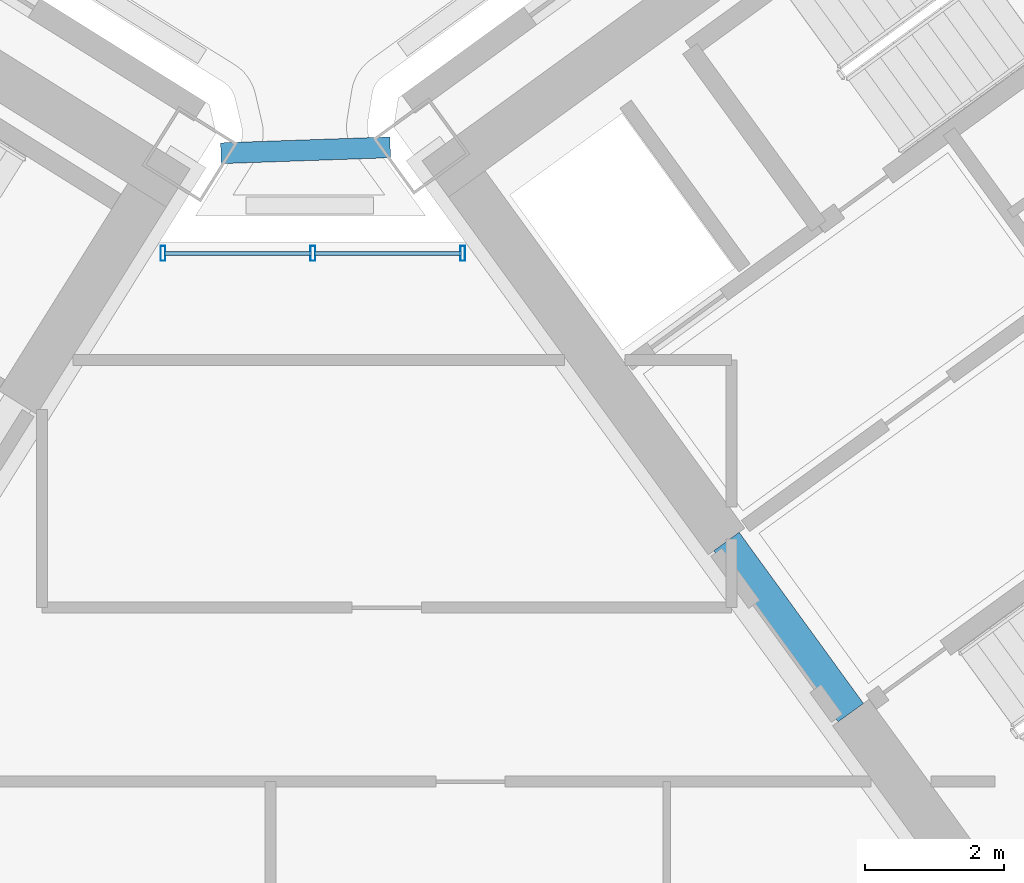
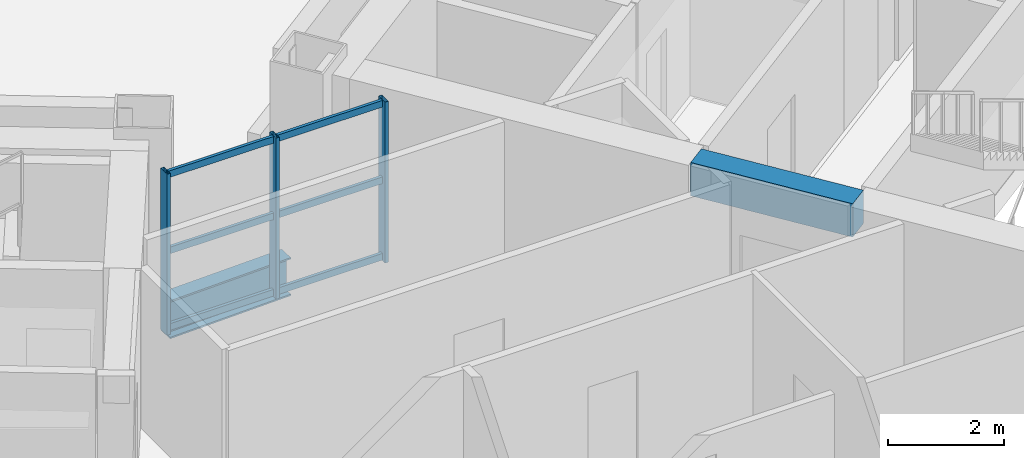
# One storey, part 11 of 28: 9 members, 2 beams, 1 element without a shape of its own.
"""IFC4 building model written with IfcOpenShell, lengths in metres."""

from ifc_helpers import new_model, si_unit, direction, frame, origin, origin_2d, place, context, subcontext, project, spatial, rectangle, hollow_rectangle, i_section, extrude, source, transform, mapped, material, material_profile, profile_set, type_object, element, aggregate, save


model = new_model("IFC4")

# Units and contexts
model_context = context("Model", 3, precision=1e-05, world=origin(), true_north=direction((0.0, 1.0)))
body_context = subcontext(model_context, "Body", "Model", "MODEL_VIEW")
ifc_project = project(units=[si_unit("LENGTHUNIT", "METRE"), si_unit("AREAUNIT", "SQUARE_METRE"), si_unit("VOLUMEUNIT", "CUBIC_METRE"), si_unit("PLANEANGLEUNIT", "RADIAN"), si_unit("MASSUNIT", "GRAM", prefix="KILO")], contexts=[model_context])

# Site, building, storey
site_placement = place(None, origin())
site = spatial("IfcSite", under=ifc_project, at=site_placement, CompositionType="ELEMENT")
building_placement = place(site_placement, origin())
building = spatial("IfcBuilding", under=site, at=building_placement, Name="Tlacorven Tower", CompositionType="ELEMENT")
storey_placement = place(building_placement, frame((0.0, 0.0, 24.0)))
storey = spatial("IfcBuildingStorey", under=building, at=storey_placement, Name="L05", CompositionType="ELEMENT", Elevation=24.0)

# Beams
ifc_material_1 = material(Name="Concrete C60/75", Category="concrete")
ifc_material_profile_1 = material_profile(ifc_material_1, rectangle(XDim=0.449951171875, YDim=0.699951171875, at=origin_2d()), Name="RC 450X700")
ifc_profile_set_1 = profile_set([ifc_material_profile_1], Name="Concrete C60/75")
beam_type_1 = type_object("IfcBeamType", Name="BM-LNT-700", PredefinedType="LINTEL", material=ifc_profile_set_1)
shared_shape_1 = source(origin(), body_context, "Body", "SweptSolid", [
    extrude(rectangle(XDim=0.449951171875, YDim=0.699951171875, at=origin_2d()), origin(), (0.0, 0.0, 1.0), 3.050048828125),
])
beam_1_placement = place(storey_placement, frame((50.318359375, 16.416015625, 3.0), z_axis=(-0.587776590479, 0.80902328748, 0.0), x_axis=(-0.80902328748, -0.587776590479, 0.0)))
element("IfcBeam", 1, at=beam_1_placement, inside=storey, type_object=beam_type_1, Name="L05 E core coupling lintel beam E1", PredefinedType="LINTEL", context=body_context, shape_type="MappedRepresentation", body=[
    mapped(shared_shape_1, transform((0.0, 0.0, 0.0), scale=1.0)),
])
ifc_material_2 = material(Name="Steel S355J2", Category="steel")
ifc_material_profile_2 = material_profile(ifc_material_2, i_section(OverallWidth=0.300048828125, OverallDepth=0.800048828125, WebThickness=0.017578125, FlangeThickness=0.032958984375, at=origin_2d()), Name="HEB 800")
ifc_profile_set_2 = profile_set([ifc_material_profile_2], Name="Steel S355J2")
beam_type_2 = type_object("IfcBeamType", Name="BM-POD-800", PredefinedType="BEAM", material=ifc_profile_set_2)
shared_shape_2 = source(origin(), body_context, "Body", "SweptSolid", [
    extrude(i_section(OverallWidth=0.300048828125, OverallDepth=0.800048828125, WebThickness=0.017578125, FlangeThickness=0.032958984375, at=origin_2d()), origin(), (0.0, 0.0, 1.0), 2.44287109375),
])
beam_2_placement = place(storey_placement, frame((41.232666015625, 24.484130859375, -0.85009765625), z_axis=(0.999391550767, 0.034878765122, 0.0), x_axis=(-0.034878765122, 0.999391550767, 0.0)))
element("IfcBeam", 2, at=beam_2_placement, inside=storey, type_object=beam_type_2, Name="L05 Knuckle Link Girder 1", PredefinedType="BEAM", context=body_context, shape_type="MappedRepresentation", body=[
    mapped(shared_shape_2, transform((0.0, 0.0, 0.0), scale=1.0)),
])

# Curtain wall, members
ifc_material_3 = material(Name="Dark solar low-E double glazing in aluminium frame", Category="aluminium")
curtain_wall_type = type_object("IfcCurtainWallType", Name="CW-TWR-LOW", PredefinedType="USERDEFINED", material=ifc_material_3)
curtain_wall_placement = place(storey_placement, origin())
curtain_wall = element("IfcCurtainWall", 3, at=curtain_wall_placement, inside=storey, type_object=curtain_wall_type, Name="L05 CW-TWR-LOW Curtain Wall 26", ObjectType="UNITISED CURTAIN WALL", PredefinedType="USERDEFINED")
ifc_material_4 = material(Name="Aluminium 6063-T6 anodised", Category="aluminium")
ifc_material_profile_3 = material_profile(ifc_material_4, hollow_rectangle(XDim=0.070068359375, YDim=0.219970703125, WallThickness=0.0048828125, at=origin_2d()), Name="ALU MULLION 70X220")
ifc_profile_set_3 = profile_set([ifc_material_profile_3], Name="Aluminium 6063-T6 anodised")
member_type_1 = type_object("IfcMemberType", Name="CWM-01", PredefinedType="MULLION", material=ifc_profile_set_3)
shared_shape_3 = source(origin(), body_context, "Body", "SweptSolid", [
    extrude(hollow_rectangle(XDim=0.070068359375, YDim=0.219970703125, WallThickness=0.0048828125, at=origin_2d()), origin(), (0.0, 0.0, 1.0), 3.380126953125),
])
member_1_placement = place(storey_placement, frame((40.396728515625, 23.0400390625, -0.02001953125), z_axis=(0.0, 0.0, 1.0), x_axis=(1.0, 0.0, 0.0)))
member_1 = element("IfcMember", 4, at=member_1_placement, type_object=member_type_1, Name="CW-L05-026 Mullion 1", PredefinedType="MULLION", context=body_context, shape_type="MappedRepresentation", body=[
    mapped(shared_shape_3, transform((0.0, 0.0, 0.0), scale=1.0)),
])
member_2_placement = place(storey_placement, frame((42.559326171875, 23.0400390625, -0.02001953125), z_axis=(0.0, 0.0, 1.0), x_axis=(1.0, 0.0, 0.0)))
member_2 = element("IfcMember", 5, at=member_2_placement, type_object=member_type_1, Name="CW-L05-026 Mullion 2", PredefinedType="MULLION", context=body_context, shape_type="MappedRepresentation", body=[
    mapped(shared_shape_3, transform((0.0, 0.0, 0.0), scale=1.0)),
])
member_3_placement = place(storey_placement, frame((44.721923828125, 23.0400390625, -0.02001953125), z_axis=(0.0, 0.0, 1.0), x_axis=(1.0, 0.0, 0.0)))
member_3 = element("IfcMember", 6, at=member_3_placement, type_object=member_type_1, Name="CW-L05-026 Mullion 3", PredefinedType="MULLION", context=body_context, shape_type="MappedRepresentation", body=[
    mapped(shared_shape_3, transform((0.0, 0.0, 0.0), scale=1.0)),
])
ifc_material_profile_4 = material_profile(ifc_material_4, hollow_rectangle(XDim=0.06005859375, YDim=0.139892578125, WallThickness=0.00390625, at=origin_2d()), Name="ALU TRANSOM 60X140")
ifc_profile_set_4 = profile_set([ifc_material_profile_4], Name="Aluminium 6063-T6 anodised")
member_type_2 = type_object("IfcMemberType", Name="CWT-02", PredefinedType="USERDEFINED", material=ifc_profile_set_4)
shared_shape_4 = source(origin(), body_context, "Body", "SweptSolid", [
    extrude(hollow_rectangle(XDim=0.06005859375, YDim=0.139892578125, WallThickness=0.00390625, at=origin_2d()), origin(), (0.0, 0.0, 1.0), 2.116455078125),
])
member_4_placement = place(storey_placement, frame((40.419921875, 23.0400390625, 0.070068359375), z_axis=(1.0, 0.0, 0.0), x_axis=(0.0, 1.0, 0.0)))
member_4 = element("IfcMember", 7, at=member_4_placement, type_object=member_type_2, Name="CW-L05-026 Transom 1", ObjectType="TRANSOM", PredefinedType="USERDEFINED", context=body_context, shape_type="MappedRepresentation", body=[
    mapped(shared_shape_4, transform((0.0, 0.0, 0.0), scale=1.0)),
])
member_5_placement = place(storey_placement, frame((40.419921875, 23.0400390625, 1.675048828125), z_axis=(1.0, 0.0, 0.0), x_axis=(0.0, 1.0, 0.0)))
member_5 = element("IfcMember", 8, at=member_5_placement, type_object=member_type_2, Name="CW-L05-026 Transom 2", ObjectType="TRANSOM", PredefinedType="USERDEFINED", context=body_context, shape_type="MappedRepresentation", body=[
    mapped(shared_shape_4, transform((0.0, 0.0, 0.0), scale=1.0)),
])
member_6_placement = place(storey_placement, frame((40.419921875, 23.0400390625, 3.280029296875), z_axis=(1.0, 0.0, 0.0), x_axis=(0.0, 1.0, 0.0)))
member_6 = element("IfcMember", 9, at=member_6_placement, type_object=member_type_2, Name="CW-L05-026 Transom 3", ObjectType="TRANSOM", PredefinedType="USERDEFINED", context=body_context, shape_type="MappedRepresentation", body=[
    mapped(shared_shape_4, transform((0.0, 0.0, 0.0), scale=1.0)),
])
shared_shape_5 = source(origin(), body_context, "Body", "SweptSolid", [
    extrude(hollow_rectangle(XDim=0.06005859375, YDim=0.139892578125, WallThickness=0.00390625, at=origin_2d()), origin(), (0.0, 0.0, 1.0), 2.11669921875),
])
member_7_placement = place(storey_placement, frame((42.582275390625, 23.0400390625, 0.070068359375), z_axis=(1.0, 0.0, 0.0), x_axis=(0.0, 1.0, 0.0)))
member_7 = element("IfcMember", 10, at=member_7_placement, type_object=member_type_2, Name="CW-L05-026 Transom 4", ObjectType="TRANSOM", PredefinedType="USERDEFINED", context=body_context, shape_type="MappedRepresentation", body=[
    mapped(shared_shape_5, transform((0.0, 0.0, 0.0), scale=1.0)),
])
member_8_placement = place(storey_placement, frame((42.582275390625, 23.0400390625, 1.675048828125), z_axis=(1.0, 0.0, 0.0), x_axis=(0.0, 1.0, 0.0)))
member_8 = element("IfcMember", 11, at=member_8_placement, type_object=member_type_2, Name="CW-L05-026 Transom 5", ObjectType="TRANSOM", PredefinedType="USERDEFINED", context=body_context, shape_type="MappedRepresentation", body=[
    mapped(shared_shape_5, transform((0.0, 0.0, 0.0), scale=1.0)),
])
member_9_placement = place(storey_placement, frame((42.582275390625, 23.0400390625, 3.280029296875), z_axis=(1.0, 0.0, 0.0), x_axis=(0.0, 1.0, 0.0)))
member_9 = element("IfcMember", 12, at=member_9_placement, type_object=member_type_2, Name="CW-L05-026 Transom 6", ObjectType="TRANSOM", PredefinedType="USERDEFINED", context=body_context, shape_type="MappedRepresentation", body=[
    mapped(shared_shape_5, transform((0.0, 0.0, 0.0), scale=1.0)),
])
aggregate(curtain_wall, [member_1, member_2, member_3, member_4, member_5, member_6, member_7, member_8, member_9])

save(model, "model.ifc")
